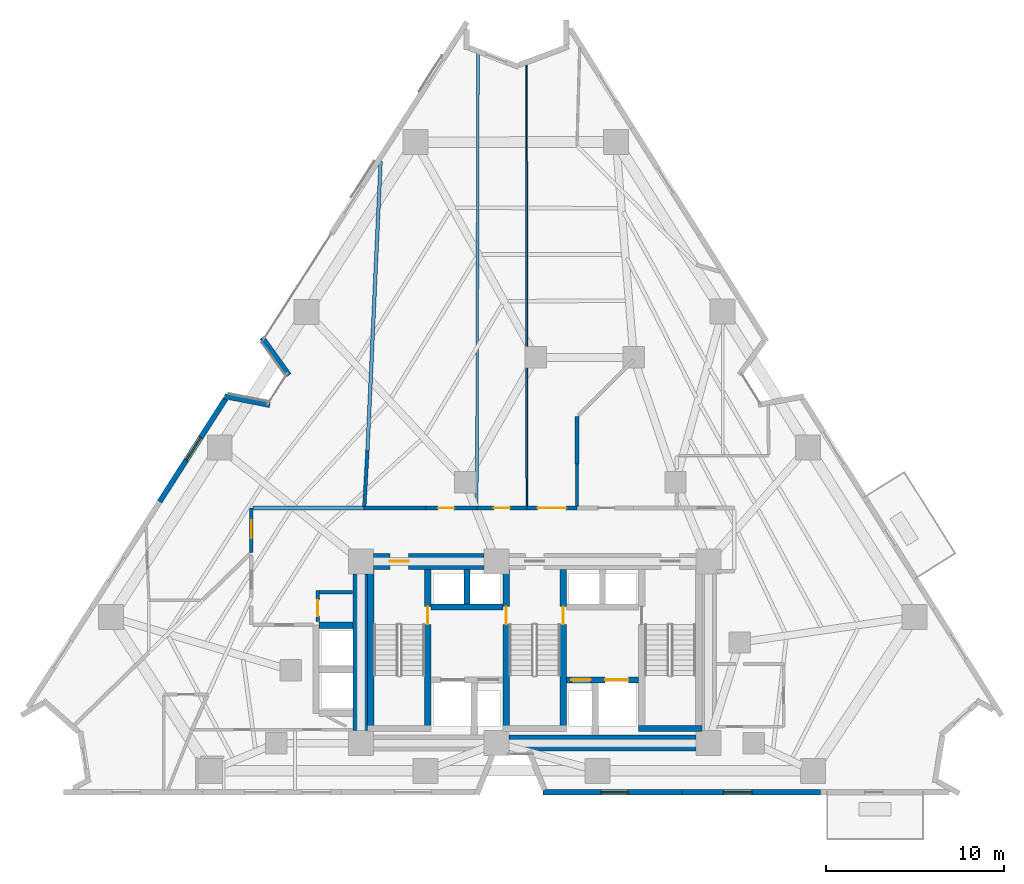
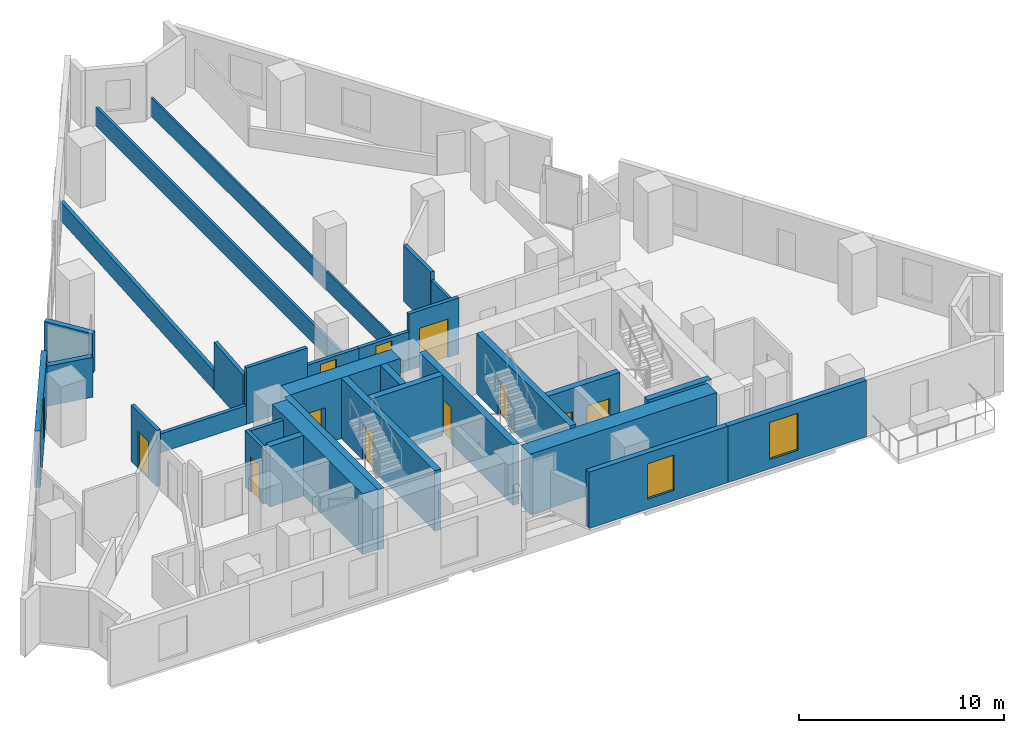
# One storey, part 7 of 12: 31 walls, 11 doors, 3 windows, 14 openings.
"""IFC4 building model written with IfcOpenShell, lengths in metres."""

from ifc_helpers import new_model, si_unit, direction, frame, frame_2d, origin, place, context, subcontext, project, spatial, rectangle, extrude, material, layer, layer_set, type_object, element, fill, save


model = new_model("IFC4")

# Units and contexts
model_context = context("Model", 3, precision=1e-05, world=origin(), true_north=direction((0.0, 1.0)))
body_context = subcontext(model_context, "Body", "Model", "MODEL_VIEW")
ifc_project = project(units=[si_unit("LENGTHUNIT", "METRE"), si_unit("AREAUNIT", "SQUARE_METRE"), si_unit("VOLUMEUNIT", "CUBIC_METRE"), si_unit("PLANEANGLEUNIT", "RADIAN"), si_unit("MASSUNIT", "GRAM", prefix="KILO")], contexts=[model_context])

# Site, building, storey
site_placement = place(None, origin())
site = spatial("IfcSite", under=ifc_project, at=site_placement, CompositionType="ELEMENT")
building_placement = place(site_placement, origin())
building = spatial("IfcBuilding", under=site, at=building_placement, Name="Almagre Mirador Tower", CompositionType="ELEMENT")
storey_placement = place(building_placement, frame((0.0, 0.0, 71.39990234375)))
storey = spatial("IfcBuildingStorey", under=building, at=storey_placement, Name="L17", CompositionType="ELEMENT", Elevation=71.39990234375)

# Walls
ifc_material_1 = material(Name="Precast concrete C50/60", Category="concrete")
ifc_layer_1 = layer(ifc_material_1, 0.300048828125)
ifc_layer_set_1 = layer_set([ifc_layer_1], Name="Precast concrete C50/60")
wall_type_1 = type_object("IfcWallType", Name="WAL-EXT-300", PredefinedType="SOLIDWALL", material=ifc_layer_set_1)
wall_1_placement = place(storey_placement, frame((19.8876953125, 24.026611328125, 0.0), z_axis=(0.0, 0.0, 1.0), x_axis=(0.981746971615, -0.190191702567, 0.0)))
element("IfcWall", 1, at=wall_1_placement, inside=storey, type_object=wall_type_1, Name="L17 expressed almagre precast frame wall 01", PredefinedType="SOLIDWALL", context=body_context, shape_type="SweptSolid", body=[
    extrude(rectangle(XDim=2.593017578125, YDim=0.300048828125, at=frame_2d((1.29638671875, 0.0))), origin(), (0.0, 0.0, 1.0), 2.375),
])
wall_2_placement = place(storey_placement, frame((23.505615234375, 25.206298828125, 0.0), z_axis=(0.0, 0.0, 1.0), x_axis=(-0.58299973372, 0.812472344442, 0.0)))
element("IfcWall", 2, at=wall_2_placement, inside=storey, type_object=wall_type_1, Name="L17 expressed almagre precast frame wall 02", PredefinedType="SOLIDWALL", context=body_context, shape_type="SweptSolid", body=[
    extrude(rectangle(XDim=2.59375, YDim=0.300048828125, at=frame_2d((1.296875, 0.0))), origin(), (0.0, 0.0, 1.0), 2.375),
])

# Wall, opening, window
wall_3_placement = place(storey_placement, frame((53.3466796875, 1.800048828125, 0.0), z_axis=(0.0, 0.0, 1.0), x_axis=(-1.0, 0.0, 0.0)))
wall_3 = element("IfcWall", 3, at=wall_3_placement, inside=storey, type_object=wall_type_1, Name="L17 expressed almagre precast frame wall 22", PredefinedType="SOLIDWALL", context=body_context, shape_type="SweptSolid", body=[
    extrude(rectangle(XDim=7.79345703125, YDim=0.300048828125, at=frame_2d((3.896728515625, 0.0))), origin(), (0.0, 0.0, 1.0), 3.35009765625),
])
opening_1_placement = place(wall_3_placement, frame((3.85009765625, 0.0, 0.550048828125)))
opening_1 = element("IfcOpeningElement", 4, at=opening_1_placement, cuts=wall_3, Name="Opening WN-06", PredefinedType="OPENING", context=body_context, shape_type="SweptSolid", body=[
    extrude(rectangle(XDim=1.60009765625, YDim=2.199951171875, at=frame_2d((0.800048828125, 1.10009765625))), frame((0.0, 0.159902, 0.0), z_axis=(0.0, -1.0, 0.0), x_axis=(1.0, 0.0, 0.0)), (0.0, 0.0, 1.0), 0.320049),
])
ifc_material_2 = material(Name="Dark solar-control laminated hurricane glass", Category="glass")
window_type_1 = type_object("IfcWindowType", Name="WIN-1600X2200", PartitioningType="DOUBLE_PANEL_VERTICAL", PredefinedType="WINDOW", material=ifc_material_2)
window_1_placement = place(opening_1_placement, origin())
window_1 = element("IfcWindow", 5, at=window_1_placement, inside=storey, type_object=window_type_1, Name="L17 recessed hurricane window L17-UC-MB", OverallHeight=2.199951171875, OverallWidth=1.60009765625, PartitioningType="SINGLE_PANEL", PredefinedType="WINDOW", context=body_context, shape_type="SweptSolid", body=[
    extrude(rectangle(XDim=1.60009765625, YDim=2.199951171875, at=frame_2d((0.800048828125, 1.10009765625))), frame((0.0, 0.030029296875, 0.0), z_axis=(0.0, -1.0, 0.0), x_axis=(1.0, 0.0, 0.0)), (0.0, 0.0, 1.0), 0.06005859375),
])
fill(opening_1, window_1)

wall_4_placement = place(storey_placement, frame((45.55322265625, 1.800048828125, 0.0), z_axis=(0.0, 0.0, 1.0), x_axis=(-1.0, 0.0, 0.0)))
wall_4 = element("IfcWall", 6, at=wall_4_placement, inside=storey, type_object=wall_type_1, Name="L17 expressed almagre precast frame wall 23", PredefinedType="SOLIDWALL", context=body_context, shape_type="SweptSolid", body=[
    extrude(rectangle(XDim=7.793212890625, YDim=0.300048828125, at=frame_2d((3.896484375, 0.0))), origin(), (0.0, 0.0, 1.0), 3.35009765625),
])
opening_2_placement = place(wall_4_placement, frame((3.02490234375, 0.0, 0.60009765625)))
opening_2 = element("IfcOpeningElement", 7, at=opening_2_placement, cuts=wall_4, Name="Opening WN-03", PredefinedType="OPENING", context=body_context, shape_type="SweptSolid", body=[
    extrude(rectangle(XDim=1.5, YDim=2.10009765625, at=frame_2d((0.75, 1.050048828125))), frame((0.0, 0.159902, 0.0), z_axis=(0.0, -1.0, 0.0), x_axis=(1.0, 0.0, 0.0)), (0.0, 0.0, 1.0), 0.320049),
])
ifc_material_3 = material(Name="Dark solar-control laminated hurricane glass", Category="glass")
window_type_2 = type_object("IfcWindowType", Name="WIN-1500X2100", PartitioningType="DOUBLE_PANEL_VERTICAL", PredefinedType="WINDOW", material=ifc_material_3)
window_2_placement = place(opening_2_placement, origin())
window_2 = element("IfcWindow", 8, at=window_2_placement, inside=storey, type_object=window_type_2, Name="L17 recessed hurricane window L17-UC-MB", OverallHeight=2.10009765625, OverallWidth=1.5, PartitioningType="SINGLE_PANEL", PredefinedType="WINDOW", context=body_context, shape_type="SweptSolid", body=[
    extrude(rectangle(XDim=1.5, YDim=2.10009765625, at=frame_2d((0.75, 1.050048828125))), frame((0.0, 0.030029296875, 0.0), z_axis=(0.0, -1.0, 0.0), x_axis=(1.0, 0.0, 0.0)), (0.0, 0.0, 1.0), 0.06005859375),
])
fill(opening_2, window_2)

wall_5_placement = place(storey_placement, frame((16.243408203125, 18.0986328125, 0.0), z_axis=(0.0, 0.0, 1.0), x_axis=(0.539533693544, 0.841964009641, 0.0)))
wall_5 = element("IfcWall", 9, at=wall_5_placement, inside=storey, type_object=wall_type_1, Name="L17 expressed almagre precast frame wall 35", PredefinedType="SOLIDWALL", context=body_context, shape_type="SweptSolid", body=[
    extrude(rectangle(XDim=6.868896484375, YDim=0.300048828125, at=frame_2d((3.4345703125, 0.0))), origin(), (0.0, 0.0, 1.0), 3.35009765625),
])
opening_3_placement = place(wall_5_placement, frame((2.77490234375, 0.0, 0.60009765625)))
opening_3 = element("IfcOpeningElement", 10, at=opening_3_placement, cuts=wall_5, Name="Opening WN-03", PredefinedType="OPENING", context=body_context, shape_type="SweptSolid", body=[
    extrude(rectangle(XDim=1.5, YDim=2.10009765625, at=frame_2d((0.75, 1.050048828125))), frame((0.0, 0.159902, 0.0), z_axis=(0.0, -1.0, 0.0), x_axis=(1.0, 0.0, 0.0)), (0.0, 0.0, 1.0), 0.320049),
])
window_3_placement = place(opening_3_placement, origin())
window_3 = element("IfcWindow", 11, at=window_3_placement, inside=storey, type_object=window_type_2, Name="L17 recessed hurricane window L17-RST-G", OverallHeight=2.10009765625, OverallWidth=1.5, PartitioningType="SINGLE_PANEL", PredefinedType="WINDOW", context=body_context, shape_type="SweptSolid", body=[
    extrude(rectangle(XDim=1.5, YDim=2.10009765625, at=frame_2d((0.75, 1.050048828125))), frame((0.0, 0.030029296875, 0.0), z_axis=(0.0, -1.0, 0.0), x_axis=(1.0, 0.0, 0.0)), (0.0, 0.0, 1.0), 0.06005859375),
])
fill(opening_3, window_3)

# Walls
ifc_material_4 = material(Name="Gypsum acoustic stud partition", Category="other")
ifc_layer_2 = layer(ifc_material_4, 0.10009765625)
ifc_layer_set_2 = layer_set([ifc_layer_2], Name="Gypsum acoustic stud partition")
wall_type_2 = type_object("IfcWallType", Name="WAL-PRT-100-CLS", PredefinedType="PARTITIONING", material=ifc_layer_set_2)
wall_6_placement = place(storey_placement, frame((36.860107421875, 17.8349609375, 0.0), z_axis=(0.0, 0.0, 1.0), x_axis=(-0.000894497986, 0.999999599937, 0.0)))
element("IfcWall", 12, at=wall_6_placement, inside=storey, type_object=wall_type_2, Name="L17 interior partition 077", PredefinedType="PARTITIONING", context=body_context, shape_type="SweptSolid", body=[
    extrude(rectangle(XDim=24.837158203125, YDim=0.10009765625, at=frame_2d((12.41845703125, 0.0))), origin(), (0.0, 0.0, 1.0), 1.1201171875),
])
ifc_material_5 = material(Name="Gypsum acoustic stud partition", Category="other")
ifc_layer_3 = layer(ifc_material_5, 0.14990234375)
ifc_layer_set_3 = layer_set([ifc_layer_3], Name="Gypsum acoustic stud partition")
wall_type_3 = type_object("IfcWallType", Name="WAL-PRT-150-STD", PredefinedType="PARTITIONING", material=ifc_layer_set_3)
wall_7_placement = place(storey_placement, frame((34.05029296875, 17.8349609375, 0.0), z_axis=(0.0, 0.0, 1.0), x_axis=(0.002580178643, 0.999996671334, 0.0)))
element("IfcWall", 13, at=wall_7_placement, inside=storey, type_object=wall_type_3, Name="L17 interior partition 076", PredefinedType="PARTITIONING", context=body_context, shape_type="SweptSolid", body=[
    extrude(rectangle(XDim=25.453125, YDim=0.14990234375, at=frame_2d((12.7265625, 0.0))), origin(), (0.0, 0.0, 1.0), 1.1201171875),
])
wall_8_placement = place(storey_placement, frame((39.669921875, 20.219970703125, 0.0), z_axis=(0.0, 0.0, 1.0), x_axis=(0.0, -1.0, 0.0)))
element("IfcWall", 14, at=wall_8_placement, inside=storey, type_object=wall_type_3, Name="L17 interior partition 091", PredefinedType="PARTITIONING", context=body_context, shape_type="SweptSolid", body=[
    extrude(rectangle(XDim=2.385009765625, YDim=0.14990234375, at=frame_2d((1.1923828125, 0.0))), origin(), (0.0, 0.0, 1.0), 2.85302734375),
])

# Wall, opening, door
ifc_material_6 = material(Name="Gypsum acoustic stud partition", Category="other")
ifc_layer_4 = layer(ifc_material_6, 0.199951171875)
ifc_layer_set_4 = layer_set([ifc_layer_4], Name="Gypsum acoustic stud partition")
wall_type_4 = type_object("IfcWallType", Name="WAL-PRT-200-EI60", PredefinedType="PARTITIONING", material=ifc_layer_set_4)
wall_9_placement = place(storey_placement, frame((25.1201171875, 11.3701171875, 0.0), z_axis=(0.0, 0.0, 1.0), x_axis=(0.0, 1.0, 0.0)))
wall_9 = element("IfcWall", 15, at=wall_9_placement, inside=storey, type_object=wall_type_4, Name="L17 core ancillary west wall", PredefinedType="PARTITIONING", context=body_context, shape_type="SweptSolid", body=[
    extrude(rectangle(XDim=1.739990234375, YDim=0.199951171875, at=frame_2d((0.8701171875, 0.0))), origin(), (0.0, 0.0, 1.0), 3.35009765625),
])
opening_4_placement = place(wall_9_placement, frame((0.304931640625, 0.0, 0.0)))
opening_4 = element("IfcOpeningElement", 16, at=opening_4_placement, cuts=wall_9, Name="Opening ID-03", PredefinedType="OPENING", context=body_context, shape_type="SweptSolid", body=[
    extrude(rectangle(XDim=0.89990234375, YDim=2.10009765625, at=frame_2d((0.449951171875, 1.050048828125))), frame((0.0, 0.110098, 0.0), z_axis=(0.0, -1.0, 0.0), x_axis=(1.0, 0.0, 0.0)), (0.0, 0.0, 1.0), 0.219951),
])
ifc_material_7 = material(Name="Fire-rated hollow steel", Category="steel")
door_type_1 = type_object("IfcDoorType", Name="DOR-FD60-900X2100", OperationType="NOTDEFINED", PredefinedType="DOOR", material=ifc_material_7)
door_1_placement = place(opening_4_placement, origin())
door_1 = element("IfcDoor", 17, at=door_1_placement, inside=storey, type_object=door_type_1, Name="DR-0572 L17 core ancillary corridor door", OperationType="SINGLE_SWING_LEFT", OverallHeight=2.10009765625, OverallWidth=0.89990234375, PredefinedType="DOOR", context=body_context, shape_type="SweptSolid", body=[
    extrude(rectangle(XDim=0.89990234375, YDim=2.10009765625, at=frame_2d((0.449951171875, 1.050048828125))), frame((0.0, 0.02490234375, 0.0), z_axis=(0.0, -1.0, 0.0), x_axis=(1.0, 0.0, 0.0)), (0.0, 0.0, 1.0), 0.050048828125),
])
fill(opening_4, door_1)

# Wall
wall_10_placement = place(storey_placement, frame((25.22509765625, 13.02001953125, 0.0), z_axis=(0.0, 0.0, 1.0), x_axis=(1.0, 0.0, 0.0)))
element("IfcWall", 18, at=wall_10_placement, inside=storey, type_object=wall_type_4, Name="L17 core ancillary north wall", PredefinedType="PARTITIONING", context=body_context, shape_type="SweptSolid", body=[
    extrude(rectangle(XDim=1.85986328125, YDim=0.199951171875, at=frame_2d((0.929931640625, 0.0))), origin(), (0.0, 0.0, 1.0), 3.35009765625),
])

# Wall, opening, door
wall_11_placement = place(storey_placement, frame((21.39990234375, 17.75, 0.0), z_axis=(0.0, 0.0, 1.0), x_axis=(0.0, -1.0, 0.0)))
wall_11 = element("IfcWall", 19, at=wall_11_placement, inside=storey, type_object=wall_type_4, Name="L17 interior partition 006", PredefinedType="PARTITIONING", context=body_context, shape_type="SweptSolid", body=[
    extrude(rectangle(XDim=2.5, YDim=0.199951171875, at=frame_2d((1.25, 0.0))), origin(), (0.0, 0.0, 1.0), 3.35009765625),
])
opening_5_placement = place(wall_11_placement, frame((0.694580078125, 0.0, 0.0)))
opening_5 = element("IfcOpeningElement", 20, at=opening_5_placement, cuts=wall_11, Name="Opening ID-01", PredefinedType="OPENING", context=body_context, shape_type="SweptSolid", body=[
    extrude(rectangle(XDim=1.0, YDim=2.199951171875, at=frame_2d((0.5, 1.10009765625))), frame((0.0, 0.110098, 0.0), z_axis=(0.0, -1.0, 0.0), x_axis=(1.0, 0.0, 0.0)), (0.0, 0.0, 1.0), 0.219951),
])
ifc_material_8 = material(Name="Fire-rated walnut timber", Category="wood")
door_type_2 = type_object("IfcDoorType", Name="DOR-FD60-1000X2200", OperationType="NOTDEFINED", PredefinedType="DOOR", material=ifc_material_8)
door_2_placement = place(opening_5_placement, origin())
door_2 = element("IfcDoor", 21, at=door_2_placement, inside=storey, type_object=door_type_2, Name="DR-0587 L17 interior door L17-RCOR to L17-UE-ST", OperationType="SINGLE_SWING_LEFT", OverallHeight=2.199951171875, OverallWidth=1.0, PredefinedType="DOOR", context=body_context, shape_type="SweptSolid", body=[
    extrude(rectangle(XDim=1.0, YDim=2.199951171875, at=frame_2d((0.5, 1.10009765625))), frame((0.0, 0.02490234375, 0.0), z_axis=(0.0, -1.0, 0.0), x_axis=(1.0, 0.0, 0.0)), (0.0, 0.0, 1.0), 0.050048828125),
])
fill(opening_5, door_2)

# Walls
wall_12_placement = place(storey_placement, frame((27.72998046875, 17.75, 0.0), z_axis=(0.0, 0.0, 1.0), x_axis=(-1.0, 0.0, 0.0)))
element("IfcWall", 22, at=wall_12_placement, inside=storey, type_object=wall_type_4, Name="L17 interior partition 008", PredefinedType="PARTITIONING", context=body_context, shape_type="SweptSolid", body=[
    extrude(rectangle(XDim=6.244873046875, YDim=0.199951171875, at=frame_2d((3.12255859375, 0.0))), origin(), (0.0, 0.0, 1.0), 1.1201171875),
])
wall_13_placement = place(storey_placement, frame((31.169921875, 17.75, 0.0), z_axis=(0.0, 0.0, 1.0), x_axis=(-1.0, 0.0, 0.0)))
element("IfcWall", 23, at=wall_13_placement, inside=storey, type_object=wall_type_4, Name="L17 interior partition 012", PredefinedType="PARTITIONING", context=body_context, shape_type="SweptSolid", body=[
    extrude(rectangle(XDim=3.43994140625, YDim=0.199951171875, at=frame_2d((1.719970703125, 0.0))), origin(), (0.0, 0.0, 1.0), 3.35009765625),
])

# Wall, opening, door
wall_14_placement = place(storey_placement, frame((34.050048828125, 17.75, 0.0), z_axis=(0.0, 0.0, 1.0), x_axis=(-1.0, 0.0, 0.0)))
wall_14 = element("IfcWall", 24, at=wall_14_placement, inside=storey, type_object=wall_type_4, Name="L17 interior partition 013", PredefinedType="PARTITIONING", context=body_context, shape_type="SweptSolid", body=[
    extrude(rectangle(XDim=2.880126953125, YDim=0.199951171875, at=frame_2d((1.43994140625, 0.0))), origin(), (0.0, 0.0, 1.0), 2.30908203125),
])
opening_6_placement = place(wall_14_placement, frame((1.273193359375, 0.0, 0.0)))
opening_6 = element("IfcOpeningElement", 25, at=opening_6_placement, cuts=wall_14, Name="Opening ID-03", PredefinedType="OPENING", context=body_context, shape_type="SweptSolid", body=[
    extrude(rectangle(XDim=0.89990234375, YDim=2.10009765625, at=frame_2d((0.449951171875, 1.050048828125))), frame((0.0, 0.110098, 0.0), z_axis=(0.0, -1.0, 0.0), x_axis=(1.0, 0.0, 0.0)), (0.0, 0.0, 1.0), 0.219951),
])
door_3_placement = place(opening_6_placement, origin())
door_3 = element("IfcDoor", 26, at=door_3_placement, inside=storey, type_object=door_type_1, Name="DR-0577 L17 interior door L17-RCOR to L17-RST-L", OperationType="SINGLE_SWING_RIGHT", OverallHeight=2.10009765625, OverallWidth=0.89990234375, PredefinedType="DOOR", context=body_context, shape_type="SweptSolid", body=[
    extrude(rectangle(XDim=0.89990234375, YDim=2.10009765625, at=frame_2d((0.449951171875, 1.050048828125))), frame((0.0, 0.02490234375, 0.0), z_axis=(0.0, -1.0, 0.0), x_axis=(1.0, 0.0, 0.0)), (0.0, 0.0, 1.0), 0.050048828125),
])
fill(opening_6, door_3)

wall_15_placement = place(storey_placement, frame((36.860107421875, 17.75, 0.0), z_axis=(0.0, 0.0, 1.0), x_axis=(-1.0, 0.0, 0.0)))
wall_15 = element("IfcWall", 27, at=wall_15_placement, inside=storey, type_object=wall_type_4, Name="L17 interior partition 014", PredefinedType="PARTITIONING", context=body_context, shape_type="SweptSolid", body=[
    extrude(rectangle(XDim=2.81005859375, YDim=0.199951171875, at=frame_2d((1.405029296875, 0.0))), origin(), (0.0, 0.0, 1.0), 2.30908203125),
])
opening_7_placement = place(wall_15_placement, frame((0.955078125, 0.0, 0.0)))
opening_7 = element("IfcOpeningElement", 28, at=opening_7_placement, cuts=wall_15, Name="Opening ID-03", PredefinedType="OPENING", context=body_context, shape_type="SweptSolid", body=[
    extrude(rectangle(XDim=0.89990234375, YDim=2.10009765625, at=frame_2d((0.449951171875, 1.050048828125))), frame((0.0, 0.110098, 0.0), z_axis=(0.0, -1.0, 0.0), x_axis=(1.0, 0.0, 0.0)), (0.0, 0.0, 1.0), 0.219951),
])
door_4_placement = place(opening_7_placement, origin())
door_4 = element("IfcDoor", 29, at=door_4_placement, inside=storey, type_object=door_type_1, Name="DR-0578 L17 interior door L17-RCOR to L17-RST-M", OperationType="SINGLE_SWING_LEFT", OverallHeight=2.10009765625, OverallWidth=0.89990234375, PredefinedType="DOOR", context=body_context, shape_type="SweptSolid", body=[
    extrude(rectangle(XDim=0.89990234375, YDim=2.10009765625, at=frame_2d((0.449951171875, 1.050048828125))), frame((0.0, 0.02490234375, 0.0), z_axis=(0.0, -1.0, 0.0), x_axis=(1.0, 0.0, 0.0)), (0.0, 0.0, 1.0), 0.050048828125),
])
fill(opening_7, door_4)

wall_16_placement = place(storey_placement, frame((39.669921875, 17.75, 0.0), z_axis=(0.0, 0.0, 1.0), x_axis=(-1.0, 0.0, 0.0)))
wall_16 = element("IfcWall", 30, at=wall_16_placement, inside=storey, type_object=wall_type_4, Name="L17 interior partition 015", PredefinedType="PARTITIONING", context=body_context, shape_type="SweptSolid", body=[
    extrude(rectangle(XDim=2.809814453125, YDim=0.199951171875, at=frame_2d((1.40478515625, 0.0))), origin(), (0.0, 0.0, 1.0), 3.35009765625),
])
opening_8_placement = place(wall_16_placement, frame((0.60498046875, 0.0, 0.0)))
opening_8 = element("IfcOpeningElement", 31, at=opening_8_placement, cuts=wall_16, Name="Opening ID-05", PredefinedType="OPENING", context=body_context, shape_type="SweptSolid", body=[
    extrude(rectangle(XDim=1.60009765625, YDim=2.300048828125, at=frame_2d((0.800048828125, 1.14990234375))), frame((0.0, 0.110098, 0.0), z_axis=(0.0, -1.0, 0.0), x_axis=(1.0, 0.0, 0.0)), (0.0, 0.0, 1.0), 0.219951),
])
ifc_material_9 = material(Name="Fire-rated acoustic timber", Category="wood")
door_type_3 = type_object("IfcDoorType", Name="DOR-FD60-1600X2300", OperationType="DOUBLE_DOOR_SINGLE_SWING", PredefinedType="DOOR", material=ifc_material_9)
door_5_placement = place(opening_8_placement, origin())
door_5 = element("IfcDoor", 32, at=door_5_placement, inside=storey, type_object=door_type_3, Name="DR-0579 L17 interior door L17-RCOR to L17-RST-N", OperationType="DOUBLE_DOOR_SINGLE_SWING", OverallHeight=2.300048828125, OverallWidth=1.60009765625, PredefinedType="DOOR", context=body_context, shape_type="SweptSolid", body=[
    extrude(rectangle(XDim=1.60009765625, YDim=2.300048828125, at=frame_2d((0.800048828125, 1.14990234375))), frame((0.0, 0.02490234375, 0.0), z_axis=(0.0, -1.0, 0.0), x_axis=(1.0, 0.0, 0.0)), (0.0, 0.0, 1.0), 0.050048828125),
])
fill(opening_8, door_5)

# Walls
wall_17_placement = place(storey_placement, frame((27.909912109375, 20.949951171875, 0.0), z_axis=(0.0, 0.0, 1.0), x_axis=(0.045456024432, 0.998966340696, 0.0)))
element("IfcWall", 33, at=wall_17_placement, inside=storey, type_object=wall_type_4, Name="L17 interior partition 048", PredefinedType="PARTITIONING", context=body_context, shape_type="SweptSolid", body=[
    extrude(rectangle(XDim=16.2578125, YDim=0.199951171875, at=frame_2d((8.12890625, 0.0))), origin(), (0.0, 0.0, 1.0), 1.1201171875),
])
wall_18_placement = place(storey_placement, frame((27.73486328125, 17.8349609375, 0.0), z_axis=(0.0, 0.0, 1.0), x_axis=(0.056107104776, 0.9984247557, 0.0)))
element("IfcWall", 34, at=wall_18_placement, inside=storey, type_object=wall_type_4, Name="L17 interior partition 049", PredefinedType="PARTITIONING", context=body_context, shape_type="SweptSolid", body=[
    extrude(rectangle(XDim=3.119873046875, YDim=0.199951171875, at=frame_2d((1.56005859375, 0.0))), origin(), (0.0, 0.0, 1.0), 2.860107421875),
])
wall_19_placement = place(storey_placement, frame((39.669921875, 22.8798828125, 0.0), z_axis=(0.0, 0.0, 1.0), x_axis=(0.0, -1.0, 0.0)))
element("IfcWall", 35, at=wall_19_placement, inside=storey, type_object=wall_type_4, Name="L17 interior partition 057", PredefinedType="PARTITIONING", context=body_context, shape_type="SweptSolid", body=[
    extrude(rectangle(XDim=2.659912109375, YDim=0.199951171875, at=frame_2d((1.330078125, 0.0))), origin(), (0.0, 0.0, 1.0), 3.35009765625),
])
ifc_material_10 = material(Name="Concrete C60/75", Category="concrete")
ifc_layer_5 = layer(ifc_material_10, 0.35009765625)
ifc_layer_set_5 = layer_set([ifc_layer_5], Name="Concrete C60/75")
wall_type_5 = type_object("IfcWallType", Name="WAL-SHF-350", PredefinedType="SOLIDWALL", material=ifc_layer_set_5)
wall_20_placement = place(storey_placement, frame((28.10009765625, 5.199951171875, 0.0), z_axis=(0.0, 0.0, 1.0), x_axis=(0.0, 1.0, 0.0)))
element("IfcWall", 36, at=wall_20_placement, inside=storey, type_object=wall_type_5, Name="L17 shaft wall ST1-W", PredefinedType="SOLIDWALL", context=body_context, shape_type="SweptSolid", body=[
    extrude(rectangle(XDim=9.10009765625, YDim=0.35009765625, at=frame_2d((4.550048828125, 0.0))), origin(), (0.0, 0.0, 1.0), 3.60009765625),
])

# Wall, opening, door
wall_21_placement = place(storey_placement, frame((31.300048828125, 5.199951171875, 0.0), z_axis=(0.0, 0.0, 1.0), x_axis=(0.0, 1.0, 0.0)))
wall_21 = element("IfcWall", 37, at=wall_21_placement, inside=storey, type_object=wall_type_5, Name="L17 shaft wall ST1-E", PredefinedType="SOLIDWALL", context=body_context, shape_type="SweptSolid", body=[
    extrude(rectangle(XDim=9.10009765625, YDim=0.35009765625, at=frame_2d((4.550048828125, 0.0))), origin(), (0.0, 0.0, 1.0), 3.60009765625),
])
opening_9_placement = place(wall_21_placement, frame((6.02001953125, 0.0, 0.0)))
opening_9 = element("IfcOpeningElement", 38, at=opening_9_placement, cuts=wall_21, Name="Opening FD-01", PredefinedType="OPENING", context=body_context, shape_type="SweptSolid", body=[
    extrude(rectangle(XDim=1.0, YDim=2.14990234375, at=frame_2d((0.5, 1.074951171875))), frame((0.0, 0.185049, 0.0), z_axis=(0.0, -1.0, 0.0), x_axis=(1.0, 0.0, 0.0)), (0.0, 0.0, 1.0), 0.370098),
])
ifc_material_11 = material(Name="Fire-rated hollow steel", Category="steel")
door_type_4 = type_object("IfcDoorType", Name="DOR-FFL-1000X2150", OperationType="NOTDEFINED", PredefinedType="DOOR", material=ifc_material_11)
door_6_placement = place(opening_9_placement, origin())
door_6 = element("IfcDoor", 39, at=door_6_placement, inside=storey, type_object=door_type_4, Name="DR-0573 L17 FFL1-ST1 smokeproof door", OperationType="SINGLE_SWING_LEFT", OverallHeight=2.14990234375, OverallWidth=1.0, PredefinedType="DOOR", context=body_context, shape_type="SweptSolid", body=[
    extrude(rectangle(XDim=1.0, YDim=2.14990234375, at=frame_2d((0.5, 1.074951171875))), frame((0.0, 0.02490234375, 0.0), z_axis=(0.0, -1.0, 0.0), x_axis=(1.0, 0.0, 0.0)), (0.0, 0.0, 1.0), 0.050048828125),
])
fill(opening_9, door_6)

wall_22_placement = place(storey_placement, frame((35.699951171875, 5.199951171875, 0.0), z_axis=(0.0, 0.0, 1.0), x_axis=(0.0, 1.0, 0.0)))
wall_22 = element("IfcWall", 40, at=wall_22_placement, inside=storey, type_object=wall_type_5, Name="L17 shaft wall ST2-W", PredefinedType="SOLIDWALL", context=body_context, shape_type="SweptSolid", body=[
    extrude(rectangle(XDim=9.10009765625, YDim=0.35009765625, at=frame_2d((4.550048828125, 0.0))), origin(), (0.0, 0.0, 1.0), 3.60009765625),
])
opening_10_placement = place(wall_22_placement, frame((6.02001953125, 0.0, 0.0)))
opening_10 = element("IfcOpeningElement", 41, at=opening_10_placement, cuts=wall_22, Name="Opening FD-01", PredefinedType="OPENING", context=body_context, shape_type="SweptSolid", body=[
    extrude(rectangle(XDim=1.0, YDim=2.14990234375, at=frame_2d((0.5, 1.074951171875))), frame((0.0, 0.185049, 0.0), z_axis=(0.0, -1.0, 0.0), x_axis=(1.0, 0.0, 0.0)), (0.0, 0.0, 1.0), 0.370098),
])
door_7_placement = place(opening_10_placement, origin())
door_7 = element("IfcDoor", 42, at=door_7_placement, inside=storey, type_object=door_type_4, Name="DR-0574 L17 FFL1-ST2 smokeproof door", OperationType="SINGLE_SWING_RIGHT", OverallHeight=2.14990234375, OverallWidth=1.0, PredefinedType="DOOR", context=body_context, shape_type="SweptSolid", body=[
    extrude(rectangle(XDim=1.0, YDim=2.14990234375, at=frame_2d((0.5, 1.074951171875))), frame((0.0, 0.02490234375, 0.0), z_axis=(0.0, -1.0, 0.0), x_axis=(1.0, 0.0, 0.0)), (0.0, 0.0, 1.0), 0.050048828125),
])
fill(opening_10, door_7)

wall_23_placement = place(storey_placement, frame((38.89990234375, 5.199951171875, 0.0), z_axis=(0.0, 0.0, 1.0), x_axis=(0.0, 1.0, 0.0)))
wall_23 = element("IfcWall", 43, at=wall_23_placement, inside=storey, type_object=wall_type_5, Name="L17 shaft wall ST2-E", PredefinedType="SOLIDWALL", context=body_context, shape_type="SweptSolid", body=[
    extrude(rectangle(XDim=9.10009765625, YDim=0.35009765625, at=frame_2d((4.550048828125, 0.0))), origin(), (0.0, 0.0, 1.0), 3.60009765625),
])
opening_11_placement = place(wall_23_placement, frame((6.02001953125, 0.0, 0.0)))
opening_11 = element("IfcOpeningElement", 44, at=opening_11_placement, cuts=wall_23, Name="Opening FD-01", PredefinedType="OPENING", context=body_context, shape_type="SweptSolid", body=[
    extrude(rectangle(XDim=1.0, YDim=2.14990234375, at=frame_2d((0.5, 1.074951171875))), frame((0.0, 0.185049, 0.0), z_axis=(0.0, -1.0, 0.0), x_axis=(1.0, 0.0, 0.0)), (0.0, 0.0, 1.0), 0.370098),
])
door_8_placement = place(opening_11_placement, origin())
door_8 = element("IfcDoor", 45, at=door_8_placement, inside=storey, type_object=door_type_4, Name="DR-0575 L17 FFL2-ST2 smokeproof door", OperationType="SINGLE_SWING_LEFT", OverallHeight=2.14990234375, OverallWidth=1.0, PredefinedType="DOOR", context=body_context, shape_type="SweptSolid", body=[
    extrude(rectangle(XDim=1.0, YDim=2.14990234375, at=frame_2d((0.5, 1.074951171875))), frame((0.0, 0.02490234375, 0.0), z_axis=(0.0, -1.0, 0.0), x_axis=(1.0, 0.0, 0.0)), (0.0, 0.0, 1.0), 0.050048828125),
])
fill(opening_11, door_8)

# Wall
wall_24_placement = place(storey_placement, frame((43.125, 5.375, 0.0), z_axis=(0.0, 0.0, 1.0), x_axis=(1.0, 0.0, 0.0)))
element("IfcWall", 46, at=wall_24_placement, inside=storey, type_object=wall_type_5, Name="L17 shaft wall ST3-S", PredefinedType="SOLIDWALL", context=body_context, shape_type="SweptSolid", body=[
    extrude(rectangle(XDim=3.550048828125, YDim=0.35009765625, at=frame_2d((1.77490234375, 0.0))), origin(), (0.0, 0.0, 1.0), 3.60009765625),
])

# Wall, openings, doors
wall_25_placement = place(storey_placement, frame((39.074951171875, 8.10009765625, 0.0), z_axis=(0.0, 0.0, 1.0), x_axis=(1.0, 0.0, 0.0)))
wall_25 = element("IfcWall", 47, at=wall_25_placement, inside=storey, type_object=wall_type_5, Name="L17 shaft wall FSAE2-N", PredefinedType="SOLIDWALL", context=body_context, shape_type="SweptSolid", body=[
    extrude(rectangle(XDim=4.050048828125, YDim=0.35009765625, at=frame_2d((2.02490234375, 0.0))), origin(), (0.0, 0.0, 1.0), 3.60009765625),
])
opening_12_placement = place(wall_25_placement, frame((2.175048828125, 0.0, 0.0)))
opening_12 = element("IfcOpeningElement", 48, at=opening_12_placement, cuts=wall_25, Name="Opening LD-03", PredefinedType="OPENING", context=body_context, shape_type="SweptSolid", body=[
    extrude(rectangle(XDim=1.300048828125, YDim=2.25, at=frame_2d((0.64990234375, 1.125))), frame((0.0, 0.185049, 0.0), z_axis=(0.0, -1.0, 0.0), x_axis=(1.0, 0.0, 0.0)), (0.0, 0.0, 1.0), 0.370098),
])
opening_13_placement = place(wall_25_placement, frame((0.27490234375, 0.0, 0.0)))
opening_13 = element("IfcOpeningElement", 49, at=opening_13_placement, cuts=wall_25, Name="Opening LD-01", PredefinedType="OPENING", context=body_context, shape_type="SweptSolid", body=[
    extrude(rectangle(XDim=1.10009765625, YDim=2.199951171875, at=frame_2d((0.550048828125, 1.10009765625))), frame((0.0, 0.185049, 0.0), z_axis=(0.0, -1.0, 0.0), x_axis=(1.0, 0.0, 0.0)), (0.0, 0.0, 1.0), 0.370098),
])
ifc_material_12 = material(Name="Hollow stainless steel", Category="steel")
door_type_5 = type_object("IfcDoorType", Name="DOR-LD-1100X2200", OperationType="DOUBLE_DOOR_SLIDING", PredefinedType="DOOR", material=ifc_material_12)
door_9_placement = place(opening_13_placement, origin())
door_9 = element("IfcDoor", 50, at=door_9_placement, inside=storey, type_object=door_type_5, Name="DR-0594 L17 PL-L2 lift landing door", OperationType="DOUBLE_DOOR_SLIDING", OverallHeight=2.199951171875, OverallWidth=1.10009765625, PredefinedType="DOOR", context=body_context, shape_type="SweptSolid", body=[
    extrude(rectangle(XDim=1.10009765625, YDim=2.199951171875, at=frame_2d((0.550048828125, 1.10009765625))), frame((0.0, 0.02490234375, 0.0), z_axis=(0.0, -1.0, 0.0), x_axis=(1.0, 0.0, 0.0)), (0.0, 0.0, 1.0), 0.050048828125),
])
fill(opening_13, door_9)
ifc_material_13 = material(Name="Hollow stainless steel", Category="steel")
door_type_6 = type_object("IfcDoorType", Name="DOR-LD-1300X2250", OperationType="DOUBLE_DOOR_SLIDING", PredefinedType="DOOR", material=ifc_material_13)
door_10_placement = place(opening_12_placement, origin())
door_10 = element("IfcDoor", 51, at=door_10_placement, inside=storey, type_object=door_type_6, Name="DR-0592 L17 FSAE-2 lift landing door", OperationType="DOUBLE_DOOR_SLIDING", OverallHeight=2.25, OverallWidth=1.300048828125, PredefinedType="DOOR", context=body_context, shape_type="SweptSolid", body=[
    extrude(rectangle(XDim=1.300048828125, YDim=2.25, at=frame_2d((0.64990234375, 1.125))), frame((0.0, 0.02490234375, 0.0), z_axis=(0.0, -1.0, 0.0), x_axis=(1.0, 0.0, 0.0)), (0.0, 0.0, 1.0), 0.050048828125),
])
fill(opening_12, door_10)

# Walls
wall_26_placement = place(storey_placement, frame((31.47509765625, 12.199951171875, 0.0), z_axis=(0.0, 0.0, 1.0), x_axis=(1.0, 0.0, 0.0)))
element("IfcWall", 52, at=wall_26_placement, inside=storey, type_object=wall_type_5, Name="L17 shaft wall PLM-S", PredefinedType="SOLIDWALL", context=body_context, shape_type="SweptSolid", body=[
    extrude(rectangle(XDim=4.0498046875, YDim=0.35009765625, at=frame_2d((2.02490234375, 0.0))), origin(), (0.0, 0.0, 1.0), 3.60009765625),
])
wall_27_placement = place(storey_placement, frame((33.5, 12.375, 0.0), z_axis=(0.0, 0.0, 1.0), x_axis=(0.0, 1.0, 0.0)))
element("IfcWall", 53, at=wall_27_placement, inside=storey, type_object=wall_type_5, Name="L17 shaft wall PLM-M", PredefinedType="SOLIDWALL", context=body_context, shape_type="SweptSolid", body=[
    extrude(rectangle(XDim=1.925048828125, YDim=0.35009765625, at=frame_2d((0.96240234375, 0.0))), origin(), (0.0, 0.0, 1.0), 3.60009765625),
])
wall_28_placement = place(storey_placement, frame((25.199951171875, 11.175048828125, 0.0), z_axis=(0.0, 0.0, 1.0), x_axis=(1.0, 0.0, 0.0)))
element("IfcWall", 54, at=wall_28_placement, inside=storey, type_object=wall_type_5, Name="L17 shaft wall OL-N", PredefinedType="SOLIDWALL", context=body_context, shape_type="SweptSolid", body=[
    extrude(rectangle(XDim=1.900146484375, YDim=0.35009765625, at=frame_2d((0.9501953125, 0.0))), origin(), (0.0, 0.0, 1.0), 3.60009765625),
])
ifc_material_14 = material(Name="Concrete C70/85", Category="concrete")
ifc_layer_6 = layer(ifc_material_14, 0.89990234375)
ifc_layer_set_6 = layer_set([ifc_layer_6], Name="Concrete C70/85")
wall_type_6 = type_object("IfcWallType", Name="WAL-SHR-900", PredefinedType="SHEAR", material=ifc_layer_set_6)
wall_29_placement = place(storey_placement, frame((35.85009765625, 4.550048828125, 0.0), z_axis=(0.0, 0.0, 1.0), x_axis=(1.0, 0.0, 0.0)))
element("IfcWall", 55, at=wall_29_placement, inside=storey, type_object=wall_type_6, Name="L17 core shear wall S2", PredefinedType="SHEAR", context=body_context, shape_type="SweptSolid", body=[
    extrude(rectangle(XDim=10.5, YDim=0.89990234375, at=frame_2d((5.25, 0.0))), origin(), (0.0, 0.0, 1.0), 3.60009765625),
])

# Wall, opening, door
wall_30_placement = place(storey_placement, frame((28.25, 14.75, 0.0), z_axis=(0.0, 0.0, 1.0), x_axis=(1.0, 0.0, 0.0)))
wall_30 = element("IfcWall", 56, at=wall_30_placement, inside=storey, type_object=wall_type_6, Name="L17 core shear wall N1", PredefinedType="SHEAR", context=body_context, shape_type="SweptSolid", body=[
    extrude(rectangle(XDim=6.199951171875, YDim=0.89990234375, at=frame_2d((3.10009765625, 0.0))), origin(), (0.0, 0.0, 1.0), 3.60009765625),
])
opening_14_placement = place(wall_30_placement, frame((0.925048828125, 0.0, 0.0)))
opening_14 = element("IfcOpeningElement", 57, at=opening_14_placement, cuts=wall_30, Name="Opening SD-01", PredefinedType="OPENING", context=body_context, shape_type="SweptSolid", body=[
    extrude(rectangle(XDim=1.050048828125, YDim=2.14990234375, at=frame_2d((0.52490234375, 1.074951171875))), frame((0.0, 0.459951, 0.0), z_axis=(0.0, -1.0, 0.0), x_axis=(1.0, 0.0, 0.0)), (0.0, 0.0, 1.0), 0.919902),
])
ifc_material_15 = material(Name="Fire-rated hollow steel", Category="steel")
door_type_7 = type_object("IfcDoorType", Name="DOR-ST-1050X2150", OperationType="NOTDEFINED", PredefinedType="DOOR", material=ifc_material_15)
door_11_placement = place(opening_14_placement, origin())
door_11 = element("IfcDoor", 58, at=door_11_placement, inside=storey, type_object=door_type_7, Name="DR-0595 L17 protected exit stair ST-1 door", OperationType="SINGLE_SWING_RIGHT", OverallHeight=2.14990234375, OverallWidth=1.050048828125, PredefinedType="DOOR", context=body_context, shape_type="SweptSolid", body=[
    extrude(rectangle(XDim=1.050048828125, YDim=2.14990234375, at=frame_2d((0.52490234375, 1.074951171875))), frame((0.0, 0.02490234375, 0.0), z_axis=(0.0, -1.0, 0.0), x_axis=(1.0, 0.0, 0.0)), (0.0, 0.0, 1.0), 0.050048828125),
])
fill(opening_14, door_11)

# Wall
wall_31_placement = place(storey_placement, frame((27.550048828125, 5.25, 0.0), z_axis=(0.0, 0.0, 1.0), x_axis=(0.0, 1.0, 0.0)))
element("IfcWall", 59, at=wall_31_placement, inside=storey, type_object=wall_type_6, Name="L17 core shear wall W1", PredefinedType="SHEAR", context=body_context, shape_type="SweptSolid", body=[
    extrude(rectangle(XDim=8.800048828125, YDim=0.89990234375, at=frame_2d((4.39990234375, 0.0))), origin(), (0.0, 0.0, 1.0), 3.60009765625),
])

save(model, "model.ifc")
